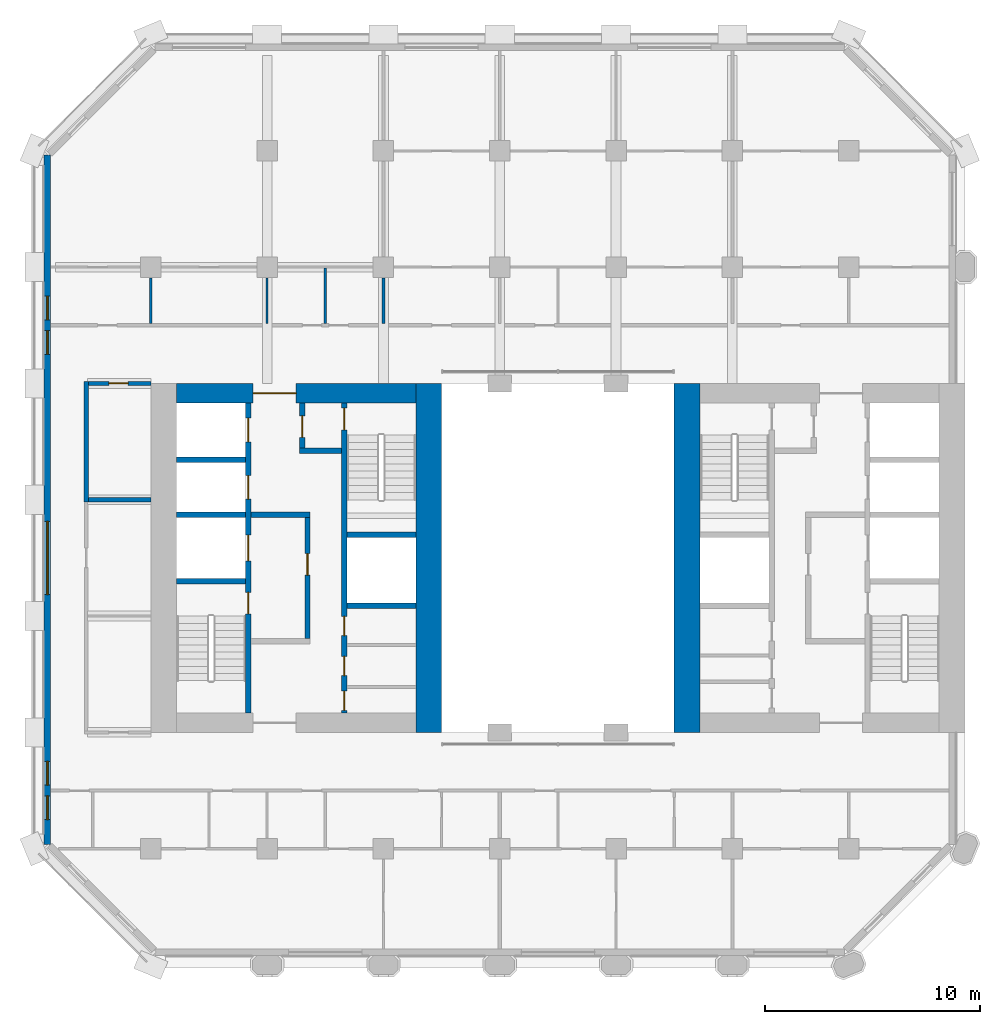
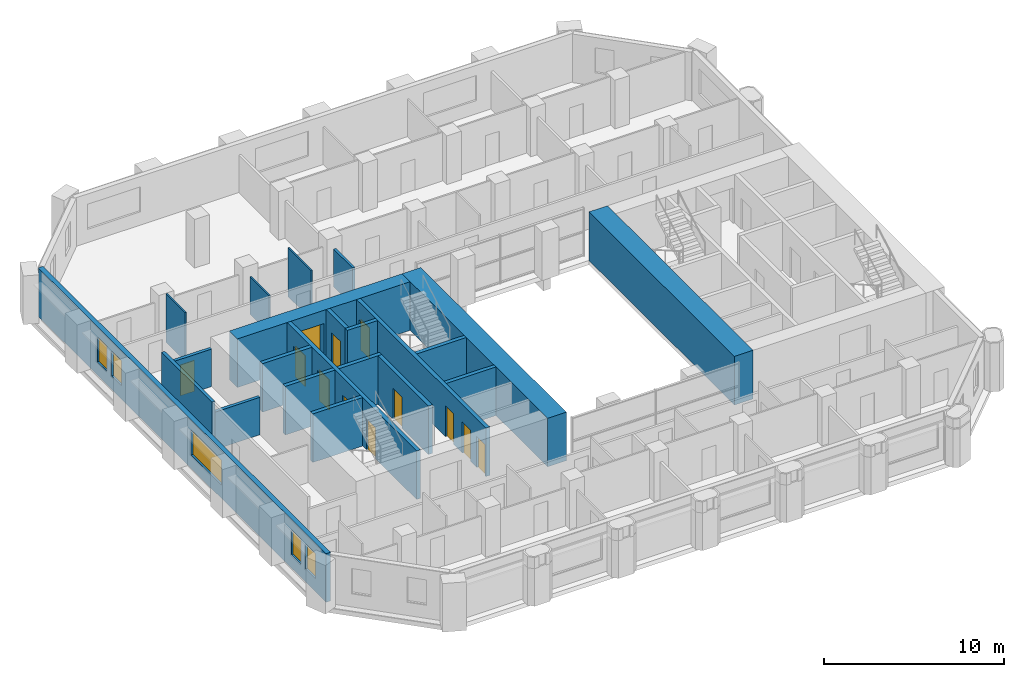
# One storey, part 7 of 13: 22 walls, 12 doors, 5 windows, 17 openings.
"""IFC4 building model written with IfcOpenShell, lengths in metres."""

from ifc_helpers import new_model, si_unit, direction, frame, frame_2d, origin, place, context, subcontext, project, spatial, rectangle, extrude, material, layer, layer_set, type_object, element, fill, save


model = new_model("IFC4")

# Units and contexts
model_context = context("Model", 3, precision=1e-05, world=origin(), true_north=direction((0.0, 1.0)))
body_context = subcontext(model_context, "Body", "Model", "MODEL_VIEW")
ifc_project = project(units=[si_unit("LENGTHUNIT", "METRE"), si_unit("AREAUNIT", "SQUARE_METRE"), si_unit("VOLUMEUNIT", "CUBIC_METRE"), si_unit("PLANEANGLEUNIT", "RADIAN"), si_unit("MASSUNIT", "GRAM", prefix="KILO")], contexts=[model_context])

# Site, building, storey
site_placement = place(None, origin())
site = spatial("IfcSite", under=ifc_project, at=site_placement, CompositionType="ELEMENT")
building_placement = place(site_placement, origin())
building = spatial("IfcBuilding", under=site, at=building_placement, Name="Tabaq Tower and Sports Hall", CompositionType="ELEMENT")
storey_placement = place(building_placement, frame((0.0, 0.0, 122.0)))
storey = spatial("IfcBuildingStorey", under=building, at=storey_placement, Name="L29", CompositionType="ELEMENT", Elevation=122.0)

# Walls
ifc_material_1 = material(Name="Concrete C60/75", Category="concrete")
ifc_layer_1 = layer(ifc_material_1, 1.199951171875)
ifc_layer_set_1 = layer_set([ifc_layer_1], Name="Core wall 1200 Concrete C60/75")
wall_type_1 = type_object("IfcWallType", Name="Core wall 1200 Concrete C60/75", PredefinedType="SOLIDWALL", material=ifc_layer_set_1)
for number, where, z_axis, x_axis, name in (
    (1, (18.300048828125, 32.39990234375, 0.0), (0.0, 0.0, 1.0), (0.0, -1.0, 0.0), "Core wall W L29"),
    (2, (30.300048828125, 16.199951171875, 0.0), (0.0, 0.0, 1.0), (0.0, 1.0, 0.0), "Core wall E L29"),
):
    element("IfcWall", number, at=place(storey_placement, frame(where, z_axis=z_axis, x_axis=x_axis)), inside=storey, type_object=wall_type_1, Name=name, PredefinedType="SOLIDWALL", context=body_context, shape_type="SweptSolid", body=[
        extrude(rectangle(XDim=16.199951171875, YDim=1.199951171875, at=frame_2d((8.10009765625, 0.0))), origin(), (0.0, 0.0, 1.0), 3.300048828125),
    ])

# Wall, opening, door
ifc_material_2 = material(Name="Concrete C60/75", Category="concrete")
ifc_layer_2 = layer(ifc_material_2, 0.89990234375)
ifc_layer_set_2 = layer_set([ifc_layer_2], Name="Core wall 900 Concrete C60/75")
wall_type_2 = type_object("IfcWallType", Name="Core wall 900 Concrete C60/75", PredefinedType="SOLIDWALL", material=ifc_layer_set_2)
wall_1_placement = place(storey_placement, frame((6.60009765625, 31.949951171875, 0.0), z_axis=(0.0, 0.0, 1.0), x_axis=(1.0, 0.0, 0.0)))
wall_1 = element("IfcWall", 3, at=wall_1_placement, inside=storey, type_object=wall_type_2, Name="Core wall W L29", PredefinedType="SOLIDWALL", context=body_context, shape_type="SweptSolid", body=[
    extrude(rectangle(XDim=11.099853515625, YDim=0.89990234375, at=frame_2d((5.5498046875, 0.0))), origin(), (0.0, 0.0, 1.0), 3.300048828125),
])
opening_1_placement = place(wall_1_placement, frame((3.550048828125, 0.0, 0.0)))
opening_1 = element("IfcOpeningElement", 4, at=opening_1_placement, cuts=wall_1, Name="Opening PD-WL29-02", PredefinedType="OPENING", context=body_context, shape_type="SweptSolid", body=[
    extrude(rectangle(XDim=2.0, YDim=2.39990234375, at=frame_2d((1.0, 1.199951171875))), frame((0.0, 0.449951171875, 0.0), z_axis=(0.0, -1.0, 0.0), x_axis=(1.0, 0.0, 0.0)), (0.0, 0.0, 1.0), 0.89990234375),
])
ifc_material_3 = material(Name="Steel fire door", Category="steel")
door_type_1 = type_object("IfcDoorType", Name="Core entrance door 2000", OperationType="DOUBLE_DOOR_SINGLE_SWING", PredefinedType="DOOR", material=ifc_material_3)
door_1_placement = place(opening_1_placement, origin())
door_1 = element("IfcDoor", 5, at=door_1_placement, inside=storey, type_object=door_type_1, Name="Core entrance north W L29", OperationType="DOUBLE_DOOR_SINGLE_SWING", OverallHeight=2.39990234375, OverallWidth=2.0, PredefinedType="DOOR", context=body_context, shape_type="SweptSolid", body=[
    extrude(rectangle(XDim=2.0, YDim=2.39990234375, at=frame_2d((1.0, 1.199951171875))), frame((0.0, 0.02490234375, 0.0), z_axis=(0.0, -1.0, 0.0), x_axis=(1.0, 0.0, 0.0)), (0.0, 0.0, 1.0), 0.050048828125),
])
fill(opening_1, door_1)

# Wall
ifc_material_4 = material(Name="Blockwork", Category="masonry")
ifc_layer_3 = layer(ifc_material_4, 0.199951171875)
ifc_layer_set_3 = layer_set([ifc_layer_3], Name="Fire compartment wall 200 Blockwork")
wall_type_3 = type_object("IfcWallType", Name="Fire compartment wall 200 Blockwork", PredefinedType="PARTITIONING", material=ifc_layer_set_3)
wall_2_placement = place(storey_placement, frame((2.39990234375, 26.89990234375, 0.0), z_axis=(0.0, 0.0, 1.0), x_axis=(0.0, 1.0, 0.0)))
element("IfcWall", 6, at=wall_2_placement, inside=storey, type_object=wall_type_3, Name="Compartment wall L29", PredefinedType="PARTITIONING", context=body_context, shape_type="SweptSolid", body=[
    extrude(rectangle(XDim=5.60009765625, YDim=0.199951171875, at=frame_2d((2.800048828125, 0.0))), origin(), (0.0, 0.0, 1.0), 3.300048828125),
])

# Wall, opening, door
wall_3_placement = place(storey_placement, frame((2.5, 32.39990234375, 0.0), z_axis=(0.0, 0.0, 1.0), x_axis=(1.0, 0.0, 0.0)))
wall_3 = element("IfcWall", 7, at=wall_3_placement, inside=storey, type_object=wall_type_3, Name="Compartment wall L29", PredefinedType="PARTITIONING", context=body_context, shape_type="SweptSolid", body=[
    extrude(rectangle(XDim=2.89990234375, YDim=0.199951171875, at=frame_2d((1.449951171875, 0.0))), origin(), (0.0, 0.0, 1.0), 2.550048828125),
])
opening_2_placement = place(wall_3_placement, frame((0.949951171875, 0.0, 0.0)))
opening_2 = element("IfcOpeningElement", 8, at=opening_2_placement, cuts=wall_3, Name="Opening L29-010", PredefinedType="OPENING", context=body_context, shape_type="SweptSolid", body=[
    extrude(rectangle(XDim=0.89990234375, YDim=2.10009765625, at=frame_2d((0.449951171875, 1.050048828125))), frame((0.0, 0.10009765625, 0.0), z_axis=(0.0, -1.0, 0.0), x_axis=(1.0, 0.0, 0.0)), (0.0, 0.0, 1.0), 0.199951171875),
])
ifc_material_5 = material(Name="Steel fire door", Category="steel")
door_type_2 = type_object("IfcDoorType", Name="Plant room door 900 left hand", OperationType="SINGLE_SWING_LEFT", PredefinedType="DOOR", material=ifc_material_5)
door_2_placement = place(opening_2_placement, origin())
door_2 = element("IfcDoor", 9, at=door_2_placement, inside=storey, type_object=door_type_2, Name="Plant room door L29-010", OperationType="SINGLE_SWING_LEFT", OverallHeight=2.10009765625, OverallWidth=0.89990234375, PredefinedType="DOOR", context=body_context, shape_type="SweptSolid", body=[
    extrude(rectangle(XDim=0.89990234375, YDim=2.10009765625, at=frame_2d((0.449951171875, 1.050048828125))), frame((0.0, 0.02490234375, 0.0), z_axis=(0.0, -1.0, 0.0), x_axis=(1.0, 0.0, 0.0)), (0.0, 0.0, 1.0), 0.050048828125),
])
fill(opening_2, door_2)

# Walls
wall_4_placement = place(storey_placement, frame((5.39990234375, 27.0, 0.0), z_axis=(0.0, 0.0, 1.0), x_axis=(-1.0, 0.0, 0.0)))
element("IfcWall", 10, at=wall_4_placement, inside=storey, type_object=wall_type_3, Name="Compartment wall L29", PredefinedType="PARTITIONING", context=body_context, shape_type="SweptSolid", body=[
    extrude(rectangle(XDim=2.89990234375, YDim=0.199951171875, at=frame_2d((1.449951171875, 0.0))), origin(), (0.0, 0.0, 1.0), 2.550048828125),
])
ifc_material_6 = material(Name="Gypsum board on steel studs", Category="steel")
ifc_layer_4 = layer(ifc_material_6, 0.10009765625)
ifc_layer_set_4 = layer_set([ifc_layer_4], Name="Partition 100 Gypsum board")
wall_type_4 = type_object("IfcWallType", Name="Partition 100 Gypsum board", PredefinedType="PARTITIONING", material=ifc_layer_set_4)
wall_5_placement = place(storey_placement, frame((5.39990234375, 35.175048828125, 0.0), z_axis=(0.0, 0.0, 1.0), x_axis=(0.0, 1.0, 0.0)))
element("IfcWall", 11, at=wall_5_placement, inside=storey, type_object=wall_type_4, Name="Partition wall L29", PredefinedType="PARTITIONING", context=body_context, shape_type="SweptSolid", body=[
    extrude(rectangle(XDim=2.1298828125, YDim=0.10009765625, at=frame_2d((1.06494140625, 0.0))), origin(), (0.0, 0.0, 1.0), 3.300048828125),
])
wall_6_placement = place(storey_placement, frame((10.800048828125, 35.175048828125, 0.0), z_axis=(0.0, 0.0, 1.0), x_axis=(0.0, 1.0, 0.0)))
element("IfcWall", 12, at=wall_6_placement, inside=storey, type_object=wall_type_4, Name="Partition wall L29", PredefinedType="PARTITIONING", context=body_context, shape_type="SweptSolid", body=[
    extrude(rectangle(XDim=2.1298828125, YDim=0.10009765625, at=frame_2d((1.06494140625, 0.0))), origin(), (0.0, 0.0, 1.0), 2.550048828125),
])
wall_7_placement = place(storey_placement, frame((13.5, 35.175048828125, 0.0), z_axis=(0.0, 0.0, 1.0), x_axis=(0.0, 1.0, 0.0)))
element("IfcWall", 13, at=wall_7_placement, inside=storey, type_object=wall_type_4, Name="Partition wall L29", PredefinedType="PARTITIONING", context=body_context, shape_type="SweptSolid", body=[
    extrude(rectangle(XDim=2.574951171875, YDim=0.10009765625, at=frame_2d((1.28759765625, 0.0))), origin(), (0.0, 0.0, 1.0), 3.300048828125),
])
ifc_material_7 = material(Name="Blockwork", Category="masonry")
ifc_layer_5 = layer(ifc_material_7, 0.14990234375)
ifc_layer_set_5 = layer_set([ifc_layer_5], Name="Separating wall 150 Blockwork")
wall_type_5 = type_object("IfcWallType", Name="Separating wall 150 Blockwork", PredefinedType="PARTITIONING", material=ifc_layer_set_5)
wall_8_placement = place(storey_placement, frame((16.199951171875, 35.175048828125, 0.0), z_axis=(0.0, 0.0, 1.0), x_axis=(0.0, 1.0, 0.0)))
element("IfcWall", 14, at=wall_8_placement, inside=storey, type_object=wall_type_5, Name="Separating wall L29", PredefinedType="PARTITIONING", context=body_context, shape_type="SweptSolid", body=[
    extrude(rectangle(XDim=2.1298828125, YDim=0.14990234375, at=frame_2d((1.06494140625, 0.0))), origin(), (0.0, 0.0, 1.0), 2.550048828125),
])

# Wall, openings, doors
ifc_material_8 = material(Name="Concrete C40/50", Category="concrete")
ifc_layer_6 = layer(ifc_material_8, 0.25)
ifc_layer_set_6 = layer_set([ifc_layer_6], Name="Shaft and stair wall 250 Concrete C40/50")
wall_type_6 = type_object("IfcWallType", Name="Shaft and stair wall 250 Concrete C40/50", PredefinedType="SOLIDWALL", material=ifc_layer_set_6)
wall_9_placement = place(storey_placement, frame((9.925048828125, 17.10009765625, 0.0), z_axis=(0.0, 0.0, 1.0), x_axis=(0.0, 1.0, 0.0)))
wall_9 = element("IfcWall", 15, at=wall_9_placement, inside=storey, type_object=wall_type_6, Name="Shaft wall W L29", PredefinedType="SOLIDWALL", context=body_context, shape_type="SweptSolid", body=[
    extrude(rectangle(XDim=14.39990234375, YDim=0.25, at=frame_2d((7.199951171875, 0.0))), origin(), (0.0, 0.0, 1.0), 3.300048828125),
])
opening_3_placement = place(wall_9_placement, frame((4.60009765625, 0.0, 0.0)))
opening_3 = element("IfcOpeningElement", 16, at=opening_3_placement, cuts=wall_9, Name="Opening SD-WL29-03", PredefinedType="OPENING", context=body_context, shape_type="SweptSolid", body=[
    extrude(rectangle(XDim=1.0, YDim=2.10009765625, at=frame_2d((0.5, 1.050048828125))), frame((0.0, 0.125, 0.0), z_axis=(0.0, -1.0, 0.0), x_axis=(1.0, 0.0, 0.0)), (0.0, 0.0, 1.0), 0.25),
])
opening_4_placement = place(wall_9_placement, frame((7.0625, 0.0, 0.0)))
opening_4 = element("IfcOpeningElement", 17, at=opening_4_placement, cuts=wall_9, Name="Opening LD-FF1-L29", PredefinedType="OPENING", context=body_context, shape_type="SweptSolid", body=[
    extrude(rectangle(XDim=1.199951171875, YDim=2.10009765625, at=frame_2d((0.60009765625, 1.050048828125))), frame((0.0, 0.125, 0.0), z_axis=(0.0, -1.0, 0.0), x_axis=(1.0, 0.0, 0.0)), (0.0, 0.0, 1.0), 0.25),
])
opening_5_placement = place(wall_9_placement, frame((9.925048828125, 0.0, 0.0)))
opening_5 = element("IfcOpeningElement", 18, at=opening_5_placement, cuts=wall_9, Name="Opening LD-LR1-L29", PredefinedType="OPENING", context=body_context, shape_type="SweptSolid", body=[
    extrude(rectangle(XDim=1.10009765625, YDim=2.10009765625, at=frame_2d((0.550048828125, 1.050048828125))), frame((0.0, 0.125, 0.0), z_axis=(0.0, -1.0, 0.0), x_axis=(1.0, 0.0, 0.0)), (0.0, 0.0, 1.0), 0.25),
])
opening_6_placement = place(wall_9_placement, frame((12.58740234375, 0.0, 0.0)))
opening_6 = element("IfcOpeningElement", 19, at=opening_6_placement, cuts=wall_9, Name="Opening LD-LR2-L29", PredefinedType="OPENING", context=body_context, shape_type="SweptSolid", body=[
    extrude(rectangle(XDim=1.10009765625, YDim=2.10009765625, at=frame_2d((0.550048828125, 1.050048828125))), frame((0.0, 0.125, 0.0), z_axis=(0.0, -1.0, 0.0), x_axis=(1.0, 0.0, 0.0)), (0.0, 0.0, 1.0), 0.25),
])
ifc_material_9 = material(Name="Stainless steel", Category="steel")
door_type_3 = type_object("IfcDoorType", Name="Lift landing door 1100", OperationType="DOUBLE_DOOR_SLIDING", PredefinedType="DOOR", material=ifc_material_9)
door_3_placement = place(opening_5_placement, origin())
door_3 = element("IfcDoor", 20, at=door_3_placement, inside=storey, type_object=door_type_3, Name="Lift landing door LR1 W L29", OperationType="DOUBLE_DOOR_SLIDING", OverallHeight=2.10009765625, OverallWidth=1.10009765625, PredefinedType="DOOR", context=body_context, shape_type="SweptSolid", body=[
    extrude(rectangle(XDim=1.10009765625, YDim=2.10009765625, at=frame_2d((0.550048828125, 1.050048828125))), frame((0.0, 0.02490234375, 0.0), z_axis=(0.0, -1.0, 0.0), x_axis=(1.0, 0.0, 0.0)), (0.0, 0.0, 1.0), 0.050048828125),
])
fill(opening_5, door_3)
door_4_placement = place(opening_6_placement, origin())
door_4 = element("IfcDoor", 21, at=door_4_placement, inside=storey, type_object=door_type_3, Name="Lift landing door LR2 W L29", OperationType="DOUBLE_DOOR_SLIDING", OverallHeight=2.10009765625, OverallWidth=1.10009765625, PredefinedType="DOOR", context=body_context, shape_type="SweptSolid", body=[
    extrude(rectangle(XDim=1.10009765625, YDim=2.10009765625, at=frame_2d((0.550048828125, 1.050048828125))), frame((0.0, 0.02490234375, 0.0), z_axis=(0.0, -1.0, 0.0), x_axis=(1.0, 0.0, 0.0)), (0.0, 0.0, 1.0), 0.050048828125),
])
fill(opening_6, door_4)
ifc_material_10 = material(Name="Stainless steel", Category="steel")
door_type_4 = type_object("IfcDoorType", Name="Lift landing door 1200", OperationType="DOUBLE_DOOR_SLIDING", PredefinedType="DOOR", material=ifc_material_10)
door_5_placement = place(opening_4_placement, origin())
door_5 = element("IfcDoor", 22, at=door_5_placement, inside=storey, type_object=door_type_4, Name="Lift landing door FF1 W L29", OperationType="DOUBLE_DOOR_SLIDING", OverallHeight=2.10009765625, OverallWidth=1.199951171875, PredefinedType="DOOR", context=body_context, shape_type="SweptSolid", body=[
    extrude(rectangle(XDim=1.199951171875, YDim=2.10009765625, at=frame_2d((0.60009765625, 1.050048828125))), frame((0.0, 0.02490234375, 0.0), z_axis=(0.0, -1.0, 0.0), x_axis=(1.0, 0.0, 0.0)), (0.0, 0.0, 1.0), 0.050048828125),
])
fill(opening_4, door_5)
ifc_material_11 = material(Name="Steel fire door", Category="steel")
door_type_5 = type_object("IfcDoorType", Name="Stair door 1000", OperationType="SINGLE_SWING_LEFT", PredefinedType="DOOR", material=ifc_material_11)
door_6_placement = place(opening_3_placement, origin())
door_6 = element("IfcDoor", 23, at=door_6_placement, inside=storey, type_object=door_type_5, Name="Stair door ST1 W L29", OperationType="SINGLE_SWING_LEFT", OverallHeight=2.10009765625, OverallWidth=1.0, PredefinedType="DOOR", context=body_context, shape_type="SweptSolid", body=[
    extrude(rectangle(XDim=1.0, YDim=2.10009765625, at=frame_2d((0.5, 1.050048828125))), frame((0.0, 0.02490234375, 0.0), z_axis=(0.0, -1.0, 0.0), x_axis=(1.0, 0.0, 0.0)), (0.0, 0.0, 1.0), 0.050048828125),
])
fill(opening_3, door_6)

wall_10_placement = place(storey_placement, frame((14.375, 17.10009765625, 0.0), z_axis=(0.0, 0.0, 1.0), x_axis=(0.0, 1.0, 0.0)))
wall_10 = element("IfcWall", 24, at=wall_10_placement, inside=storey, type_object=wall_type_6, Name="Shaft wall W L29", PredefinedType="SOLIDWALL", context=body_context, shape_type="SweptSolid", body=[
    extrude(rectangle(XDim=14.39990234375, YDim=0.25, at=frame_2d((7.199951171875, 0.0))), origin(), (0.0, 0.0, 1.0), 3.300048828125),
])
opening_7_placement = place(wall_10_placement, frame((13.14990234375, 0.0, 0.0)))
opening_7 = element("IfcOpeningElement", 25, at=opening_7_placement, cuts=wall_10, Name="Opening SD-WL29-05", PredefinedType="OPENING", context=body_context, shape_type="SweptSolid", body=[
    extrude(rectangle(XDim=1.0, YDim=2.10009765625, at=frame_2d((0.5, 1.050048828125))), frame((0.0, 0.125, 0.0), z_axis=(0.0, -1.0, 0.0), x_axis=(1.0, 0.0, 0.0)), (0.0, 0.0, 1.0), 0.25),
])
opening_8_placement = place(wall_10_placement, frame((0.118408203125, 0.0, 0.0)))
opening_8 = element("IfcOpeningElement", 26, at=opening_8_placement, cuts=wall_10, Name="Opening RD-WL29-10", PredefinedType="OPENING", context=body_context, shape_type="SweptSolid", body=[
    extrude(rectangle(XDim=0.89990234375, YDim=2.10009765625, at=frame_2d((0.449951171875, 1.050048828125))), frame((0.0, 0.125, 0.0), z_axis=(0.0, -1.0, 0.0), x_axis=(1.0, 0.0, 0.0)), (0.0, 0.0, 1.0), 0.25),
])
opening_9_placement = place(wall_10_placement, frame((1.73193359375, 0.0, 0.0)))
opening_9 = element("IfcOpeningElement", 27, at=opening_9_placement, cuts=wall_10, Name="Opening RD-WL29-11", PredefinedType="OPENING", context=body_context, shape_type="SweptSolid", body=[
    extrude(rectangle(XDim=0.89990234375, YDim=2.10009765625, at=frame_2d((0.449951171875, 1.050048828125))), frame((0.0, 0.125, 0.0), z_axis=(0.0, -1.0, 0.0), x_axis=(1.0, 0.0, 0.0)), (0.0, 0.0, 1.0), 0.25),
])
opening_10_placement = place(wall_10_placement, frame((3.58837890625, 0.0, 0.0)))
opening_10 = element("IfcOpeningElement", 28, at=opening_10_placement, cuts=wall_10, Name="Opening RD-WL29-12", PredefinedType="OPENING", context=body_context, shape_type="SweptSolid", body=[
    extrude(rectangle(XDim=0.89990234375, YDim=2.10009765625, at=frame_2d((0.449951171875, 1.050048828125))), frame((0.0, 0.125, 0.0), z_axis=(0.0, -1.0, 0.0), x_axis=(1.0, 0.0, 0.0)), (0.0, 0.0, 1.0), 0.25),
])
ifc_material_12 = material(Name="Steel fire door", Category="steel")
door_type_6 = type_object("IfcDoorType", Name="Core room door 900", OperationType="SINGLE_SWING_LEFT", PredefinedType="DOOR", material=ifc_material_12)
door_7_placement = place(opening_8_placement, origin())
door_7 = element("IfcDoor", 29, at=door_7_placement, inside=storey, type_object=door_type_6, Name="Door Electrical Riser Room W L29", OperationType="SINGLE_SWING_LEFT", OverallHeight=2.10009765625, OverallWidth=0.89990234375, PredefinedType="DOOR", context=body_context, shape_type="SweptSolid", body=[
    extrude(rectangle(XDim=0.89990234375, YDim=2.10009765625, at=frame_2d((0.449951171875, 1.050048828125))), frame((0.0, 0.02490234375, 0.0), z_axis=(0.0, -1.0, 0.0), x_axis=(1.0, 0.0, 0.0)), (0.0, 0.0, 1.0), 0.050048828125),
])
fill(opening_8, door_7)
door_8_placement = place(opening_9_placement, origin())
door_8 = element("IfcDoor", 30, at=door_8_placement, inside=storey, type_object=door_type_6, Name="Door Unisex WC W L29", OperationType="SINGLE_SWING_LEFT", OverallHeight=2.10009765625, OverallWidth=0.89990234375, PredefinedType="DOOR", context=body_context, shape_type="SweptSolid", body=[
    extrude(rectangle(XDim=0.89990234375, YDim=2.10009765625, at=frame_2d((0.449951171875, 1.050048828125))), frame((0.0, 0.02490234375, 0.0), z_axis=(0.0, -1.0, 0.0), x_axis=(1.0, 0.0, 0.0)), (0.0, 0.0, 1.0), 0.050048828125),
])
fill(opening_9, door_8)
door_9_placement = place(opening_10_placement, origin())
door_9 = element("IfcDoor", 31, at=door_9_placement, inside=storey, type_object=door_type_6, Name="Door Accessible WC W L29", OperationType="SINGLE_SWING_LEFT", OverallHeight=2.10009765625, OverallWidth=0.89990234375, PredefinedType="DOOR", context=body_context, shape_type="SweptSolid", body=[
    extrude(rectangle(XDim=0.89990234375, YDim=2.10009765625, at=frame_2d((0.449951171875, 1.050048828125))), frame((0.0, 0.02490234375, 0.0), z_axis=(0.0, -1.0, 0.0), x_axis=(1.0, 0.0, 0.0)), (0.0, 0.0, 1.0), 0.050048828125),
])
fill(opening_10, door_9)
door_10_placement = place(opening_7_placement, origin())
door_10 = element("IfcDoor", 32, at=door_10_placement, inside=storey, type_object=door_type_5, Name="Stair door ST2 W L29", OperationType="SINGLE_SWING_LEFT", OverallHeight=2.10009765625, OverallWidth=1.0, PredefinedType="DOOR", context=body_context, shape_type="SweptSolid", body=[
    extrude(rectangle(XDim=1.0, YDim=2.10009765625, at=frame_2d((0.5, 1.050048828125))), frame((0.0, 0.02490234375, 0.0), z_axis=(0.0, -1.0, 0.0), x_axis=(1.0, 0.0, 0.0)), (0.0, 0.0, 1.0), 0.050048828125),
])
fill(opening_7, door_10)

# Walls
for number, where, z_axis, x_axis, name in (
    (33, (6.60009765625, 23.22509765625, 0.0), (0.0, 0.0, 1.0), (1.0, 0.0, 0.0), "Stair enclosure wall W L29"),
    (34, (14.5, 25.375, 0.0), (0.0, 0.0, 1.0), (1.0, 0.0, 0.0), "Stair enclosure wall W L29"),
    (35, (14.5, 22.074951171875, 0.0), (0.0, 0.0, 1.0), (1.0, 0.0, 0.0), "Shaft wall W L29"),
    (36, (6.60009765625, 26.300048828125, 0.0), (0.0, 0.0, 1.0), (1.0, 0.0, 0.0), "Shaft wall W L29"),
):
    element("IfcWall", number, at=place(storey_placement, frame(where, z_axis=z_axis, x_axis=x_axis)), inside=storey, type_object=wall_type_6, Name=name, PredefinedType="SOLIDWALL", context=body_context, shape_type="SweptSolid", body=[
        extrude(rectangle(XDim=3.199951171875, YDim=0.25, at=frame_2d((1.60009765625, 0.0))), origin(), (0.0, 0.0, 1.0), 3.300048828125),
    ])
wall_11_placement = place(storey_placement, frame((10.050048828125, 26.300048828125, 0.0), z_axis=(0.0, 0.0, 1.0), x_axis=(1.0, 0.0, 0.0)))
element("IfcWall", 37, at=wall_11_placement, inside=storey, type_object=wall_type_6, Name="Fire-fighting lobby wall W L29", PredefinedType="SOLIDWALL", context=body_context, shape_type="SweptSolid", body=[
    extrude(rectangle(XDim=2.75, YDim=0.25, at=frame_2d((1.375, 0.0))), origin(), (0.0, 0.0, 1.0), 3.300048828125),
])

# Wall, opening, door
wall_12_placement = place(storey_placement, frame((12.425048828125, 29.39990234375, 0.0), z_axis=(0.0, 0.0, 1.0), x_axis=(0.0, 1.0, 0.0)))
wall_12 = element("IfcWall", 38, at=wall_12_placement, inside=storey, type_object=wall_type_6, Name="Fire-fighting lobby wall W L29", PredefinedType="SOLIDWALL", context=body_context, shape_type="SweptSolid", body=[
    extrude(rectangle(XDim=2.10009765625, YDim=0.25, at=frame_2d((1.050048828125, 0.0))), origin(), (0.0, 0.0, 1.0), 3.300048828125),
])
opening_11_placement = place(wall_12_placement, frame((0.5, 0.0, 0.0)))
opening_11 = element("IfcOpeningElement", 39, at=opening_11_placement, cuts=wall_12, Name="Opening FD-WL29-06", PredefinedType="OPENING", context=body_context, shape_type="SweptSolid", body=[
    extrude(rectangle(XDim=1.0, YDim=2.10009765625, at=frame_2d((0.5, 1.050048828125))), frame((0.0, 0.125, 0.0), z_axis=(0.0, -1.0, 0.0), x_axis=(1.0, 0.0, 0.0)), (0.0, 0.0, 1.0), 0.25),
])
ifc_material_13 = material(Name="Steel fire door", Category="steel")
door_type_7 = type_object("IfcDoorType", Name="Fire-fighting lobby door 1000", OperationType="SINGLE_SWING_LEFT", PredefinedType="DOOR", material=ifc_material_13)
door_11_placement = place(opening_11_placement, origin())
door_11 = element("IfcDoor", 40, at=door_11_placement, inside=storey, type_object=door_type_7, Name="Stair lobby door W L29", OperationType="SINGLE_SWING_LEFT", OverallHeight=2.10009765625, OverallWidth=1.0, PredefinedType="DOOR", context=body_context, shape_type="SweptSolid", body=[
    extrude(rectangle(XDim=1.0, YDim=2.10009765625, at=frame_2d((0.5, 1.050048828125))), frame((0.0, 0.02490234375, 0.0), z_axis=(0.0, -1.0, 0.0), x_axis=(1.0, 0.0, 0.0)), (0.0, 0.0, 1.0), 0.050048828125),
])
fill(opening_11, door_11)

# Wall
wall_13_placement = place(storey_placement, frame((12.300048828125, 29.27490234375, 0.0), z_axis=(0.0, 0.0, 1.0), x_axis=(1.0, 0.0, 0.0)))
element("IfcWall", 41, at=wall_13_placement, inside=storey, type_object=wall_type_6, Name="Fire-fighting lobby wall W L29", PredefinedType="SOLIDWALL", context=body_context, shape_type="SweptSolid", body=[
    extrude(rectangle(XDim=1.949951171875, YDim=0.25, at=frame_2d((0.97509765625, 0.0))), origin(), (0.0, 0.0, 1.0), 3.300048828125),
])

# Wall, opening, door
wall_14_placement = place(storey_placement, frame((12.675048828125, 20.550048828125, 0.0), z_axis=(0.0, 0.0, 1.0), x_axis=(0.0, 1.0, 0.0)))
wall_14 = element("IfcWall", 42, at=wall_14_placement, inside=storey, type_object=wall_type_6, Name="Fire-fighting lobby wall W L29", PredefinedType="SOLIDWALL", context=body_context, shape_type="SweptSolid", body=[
    extrude(rectangle(XDim=5.625, YDim=0.25, at=frame_2d((2.8125, 0.0))), origin(), (0.0, 0.0, 1.0), 3.300048828125),
])
opening_12_placement = place(wall_14_placement, frame((2.949951171875, 0.0, 0.0)))
opening_12 = element("IfcOpeningElement", 43, at=opening_12_placement, cuts=wall_14, Name="Opening FD-WL29-04", PredefinedType="OPENING", context=body_context, shape_type="SweptSolid", body=[
    extrude(rectangle(XDim=1.0, YDim=2.10009765625, at=frame_2d((0.5, 1.050048828125))), frame((0.0, 0.125, 0.0), z_axis=(0.0, -1.0, 0.0), x_axis=(1.0, 0.0, 0.0)), (0.0, 0.0, 1.0), 0.25),
])
door_12_placement = place(opening_12_placement, origin())
door_12 = element("IfcDoor", 44, at=door_12_placement, inside=storey, type_object=door_type_7, Name="Fire-fighting lobby door W L29", OperationType="SINGLE_SWING_LEFT", OverallHeight=2.10009765625, OverallWidth=1.0, PredefinedType="DOOR", context=body_context, shape_type="SweptSolid", body=[
    extrude(rectangle(XDim=1.0, YDim=2.10009765625, at=frame_2d((0.5, 1.050048828125))), frame((0.0, 0.02490234375, 0.0), z_axis=(0.0, -1.0, 0.0), x_axis=(1.0, 0.0, 0.0)), (0.0, 0.0, 1.0), 0.050048828125),
])
fill(opening_12, door_12)

# Wall
wall_15_placement = place(storey_placement, frame((6.60009765625, 28.85009765625, 0.0), z_axis=(0.0, 0.0, 1.0), x_axis=(1.0, 0.0, 0.0)))
element("IfcWall", 45, at=wall_15_placement, inside=storey, type_object=wall_type_6, Name="Shaft wall W L29", PredefinedType="SOLIDWALL", context=body_context, shape_type="SweptSolid", body=[
    extrude(rectangle(XDim=3.199951171875, YDim=0.25, at=frame_2d((1.60009765625, 0.0))), origin(), (0.0, 0.0, 1.0), 3.300048828125),
])

# Wall, openings, windows
ifc_material_14 = material(Name="White precast concrete C60/75", Category="concrete")
ifc_layer_7 = layer(ifc_material_14, 0.300048828125)
ifc_layer_set_7 = layer_set([ifc_layer_7], Name="White precast concrete C60/75 external wall 300")
wall_type_7 = type_object("IfcWallType", Name="White precast concrete C60/75 external wall 300", PredefinedType="SOLIDWALL", material=ifc_layer_set_7)
wall_16_placement = place(storey_placement, frame((0.60009765625, 43.013671875, 0.0), z_axis=(0.0, 0.0, 1.0), x_axis=(0.0, -1.0, 0.0)))
wall_16 = element("IfcWall", 46, at=wall_16_placement, inside=storey, type_object=wall_type_7, Name="External Wall L29 W", PredefinedType="SOLIDWALL", context=body_context, shape_type="SweptSolid", body=[
    extrude(rectangle(XDim=32.02734375, YDim=0.300048828125, at=frame_2d((16.013671875, 0.0))), origin(), (0.0, 0.0, 1.0), 3.300048828125),
])
opening_13_placement = place(wall_16_placement, frame((6.563720703125, 0.0, 0.89990234375)))
opening_13 = element("IfcOpeningElement", 47, at=opening_13_placement, cuts=wall_16, Name="Opening W1B", PredefinedType="OPENING", context=body_context, shape_type="SweptSolid", body=[
    extrude(rectangle(XDim=1.10009765625, YDim=1.699951171875, at=frame_2d((0.550048828125, 0.85009765625))), frame((0.0, 0.16015625, 0.0), z_axis=(0.0, -1.0, 0.0), x_axis=(1.0, 0.0, 0.0)), (0.0, 0.0, 1.0), 0.320068359375),
])
opening_14_placement = place(wall_16_placement, frame((8.16357421875, 0.0, 0.89990234375)))
opening_14 = element("IfcOpeningElement", 48, at=opening_14_placement, cuts=wall_16, Name="Opening W1B", PredefinedType="OPENING", context=body_context, shape_type="SweptSolid", body=[
    extrude(rectangle(XDim=1.10009765625, YDim=1.699951171875, at=frame_2d((0.550048828125, 0.85009765625))), frame((0.0, 0.16015625, 0.0), z_axis=(0.0, -1.0, 0.0), x_axis=(1.0, 0.0, 0.0)), (0.0, 0.0, 1.0), 0.320068359375),
])
opening_15_placement = place(wall_16_placement, frame((17.013671875, 0.0, 0.89990234375)))
opening_15 = element("IfcOpeningElement", 49, at=opening_15_placement, cuts=wall_16, Name="Opening W1A", PredefinedType="OPENING", context=body_context, shape_type="SweptSolid", body=[
    extrude(rectangle(XDim=3.39990234375, YDim=1.699951171875, at=frame_2d((1.699951171875, 0.85009765625))), frame((0.0, 0.16015625, 0.0), z_axis=(0.0, -1.0, 0.0), x_axis=(1.0, 0.0, 0.0)), (0.0, 0.0, 1.0), 0.320068359375),
])
opening_16_placement = place(wall_16_placement, frame((28.16357421875, 0.0, 0.89990234375)))
opening_16 = element("IfcOpeningElement", 50, at=opening_16_placement, cuts=wall_16, Name="Opening W1B", PredefinedType="OPENING", context=body_context, shape_type="SweptSolid", body=[
    extrude(rectangle(XDim=1.10009765625, YDim=1.699951171875, at=frame_2d((0.550048828125, 0.85009765625))), frame((0.0, 0.16015625, 0.0), z_axis=(0.0, -1.0, 0.0), x_axis=(1.0, 0.0, 0.0)), (0.0, 0.0, 1.0), 0.320068359375),
])
opening_17_placement = place(wall_16_placement, frame((29.763671875, 0.0, 0.89990234375)))
opening_17 = element("IfcOpeningElement", 51, at=opening_17_placement, cuts=wall_16, Name="Opening W1B", PredefinedType="OPENING", context=body_context, shape_type="SweptSolid", body=[
    extrude(rectangle(XDim=1.10009765625, YDim=1.699951171875, at=frame_2d((0.550048828125, 0.85009765625))), frame((0.0, 0.16015625, 0.0), z_axis=(0.0, -1.0, 0.0), x_axis=(1.0, 0.0, 0.0)), (0.0, 0.0, 1.0), 0.320068359375),
])
ifc_material_15 = material(Name="Aluminium framed clear glazing", Category="aluminium")
window_type_1 = type_object("IfcWindowType", Name="Window W1A", PartitioningType="SINGLE_PANEL", PredefinedType="WINDOW", material=ifc_material_15)
window_1_placement = place(opening_15_placement, origin())
window_1 = element("IfcWindow", 52, at=window_1_placement, inside=storey, type_object=window_type_1, Name="Window W1A L29", OverallHeight=1.699951171875, OverallWidth=3.39990234375, PartitioningType="SINGLE_PANEL", PredefinedType="WINDOW", context=body_context, shape_type="SweptSolid", body=[
    extrude(rectangle(XDim=3.39990234375, YDim=1.699951171875, at=frame_2d((1.699951171875, 0.85009765625))), frame((0.0, 0.030029296875, 0.0), z_axis=(0.0, -1.0, 0.0), x_axis=(1.0, 0.0, 0.0)), (0.0, 0.0, 1.0), 0.06005859375),
])
fill(opening_15, window_1)
ifc_material_16 = material(Name="Aluminium framed clear glazing", Category="aluminium")
window_type_2 = type_object("IfcWindowType", Name="Window W1B", PartitioningType="SINGLE_PANEL", PredefinedType="WINDOW", material=ifc_material_16)
window_2_placement = place(opening_13_placement, origin())
window_2 = element("IfcWindow", 53, at=window_2_placement, inside=storey, type_object=window_type_2, Name="Window W1B L29", OverallHeight=1.699951171875, OverallWidth=1.10009765625, PartitioningType="SINGLE_PANEL", PredefinedType="WINDOW", context=body_context, shape_type="SweptSolid", body=[
    extrude(rectangle(XDim=1.10009765625, YDim=1.699951171875, at=frame_2d((0.550048828125, 0.85009765625))), frame((0.0, 0.030029296875, 0.0), z_axis=(0.0, -1.0, 0.0), x_axis=(1.0, 0.0, 0.0)), (0.0, 0.0, 1.0), 0.06005859375),
])
fill(opening_13, window_2)
window_3_placement = place(opening_14_placement, origin())
window_3 = element("IfcWindow", 54, at=window_3_placement, inside=storey, type_object=window_type_2, Name="Window W1B L29", OverallHeight=1.699951171875, OverallWidth=1.10009765625, PartitioningType="SINGLE_PANEL", PredefinedType="WINDOW", context=body_context, shape_type="SweptSolid", body=[
    extrude(rectangle(XDim=1.10009765625, YDim=1.699951171875, at=frame_2d((0.550048828125, 0.85009765625))), frame((0.0, 0.030029296875, 0.0), z_axis=(0.0, -1.0, 0.0), x_axis=(1.0, 0.0, 0.0)), (0.0, 0.0, 1.0), 0.06005859375),
])
fill(opening_14, window_3)
window_4_placement = place(opening_16_placement, origin())
window_4 = element("IfcWindow", 55, at=window_4_placement, inside=storey, type_object=window_type_2, Name="Window W1B L29", OverallHeight=1.699951171875, OverallWidth=1.10009765625, PartitioningType="SINGLE_PANEL", PredefinedType="WINDOW", context=body_context, shape_type="SweptSolid", body=[
    extrude(rectangle(XDim=1.10009765625, YDim=1.699951171875, at=frame_2d((0.550048828125, 0.85009765625))), frame((0.0, 0.030029296875, 0.0), z_axis=(0.0, -1.0, 0.0), x_axis=(1.0, 0.0, 0.0)), (0.0, 0.0, 1.0), 0.06005859375),
])
fill(opening_16, window_4)
window_5_placement = place(opening_17_placement, origin())
window_5 = element("IfcWindow", 56, at=window_5_placement, inside=storey, type_object=window_type_2, Name="Window W1B L29", OverallHeight=1.699951171875, OverallWidth=1.10009765625, PartitioningType="SINGLE_PANEL", PredefinedType="WINDOW", context=body_context, shape_type="SweptSolid", body=[
    extrude(rectangle(XDim=1.10009765625, YDim=1.699951171875, at=frame_2d((0.550048828125, 0.85009765625))), frame((0.0, 0.030029296875, 0.0), z_axis=(0.0, -1.0, 0.0), x_axis=(1.0, 0.0, 0.0)), (0.0, 0.0, 1.0), 0.06005859375),
])
fill(opening_17, window_5)

save(model, "model.ifc")
